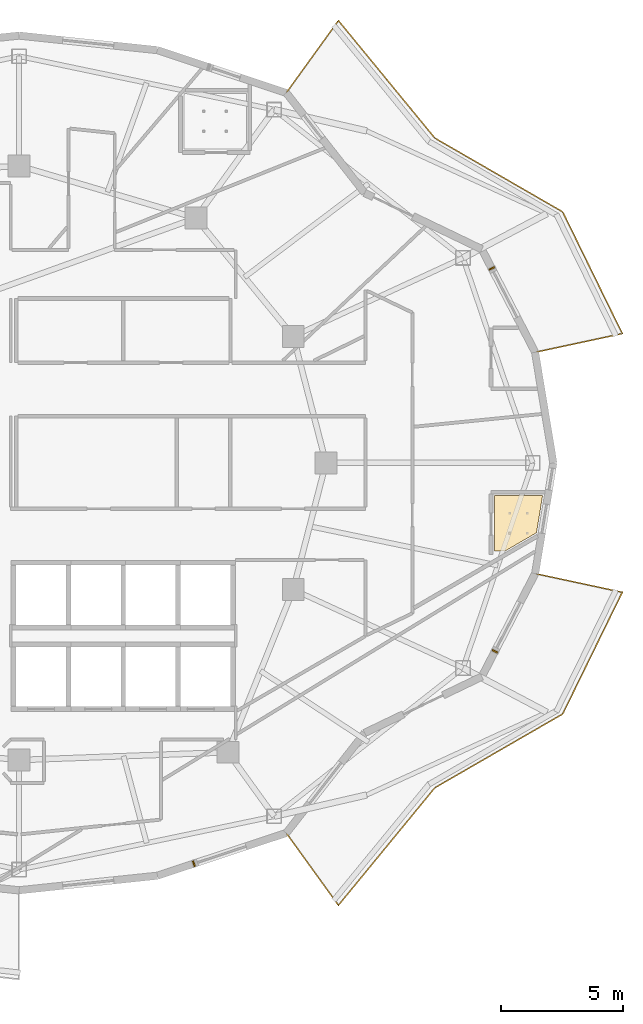
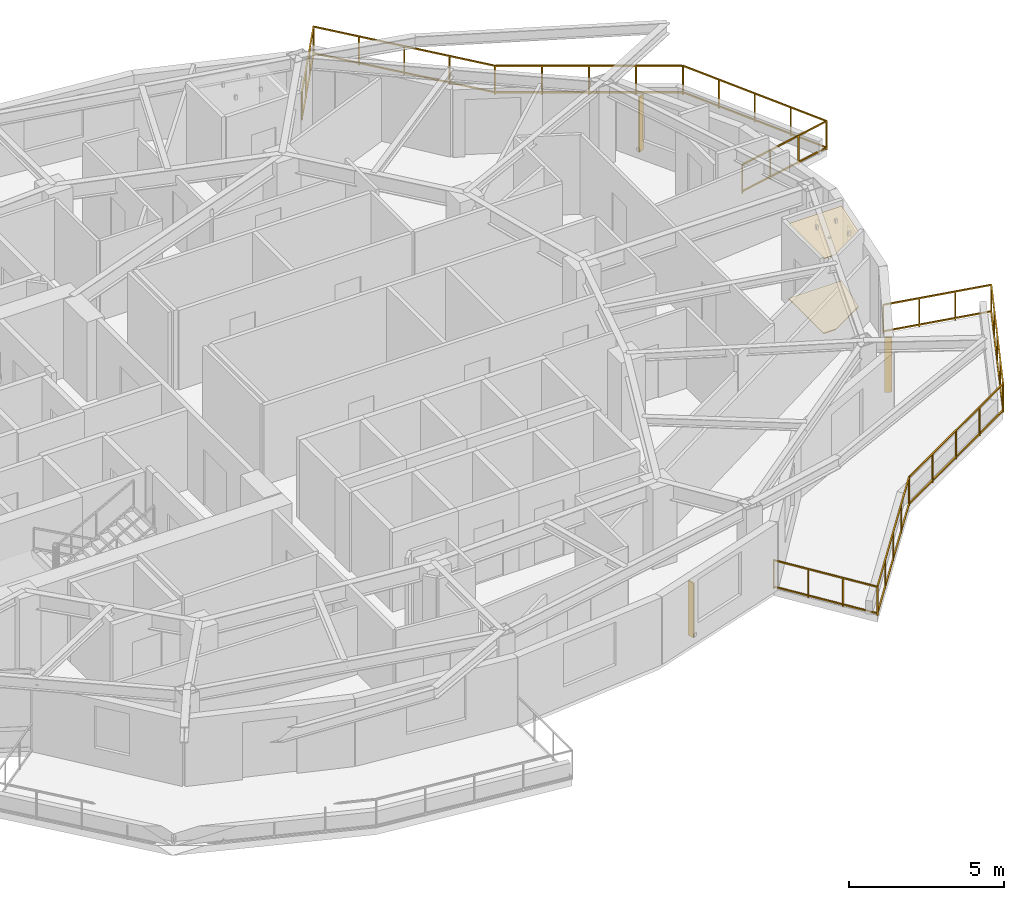
# One storey, part 15 of 16: 3 shading devices, 2 coverings, 2 railings.
"""IFC4 building model written with IfcOpenShell, lengths in metres."""

from ifc_helpers import new_model, si_unit, direction, frame, origin, origin_2d, place, context, subcontext, project, spatial, polyline, rectangle, outline, extrude, material, layer, layer_set, type_object, element, save


model = new_model("IFC4")

# Units and contexts
model_context = context("Model", 3, precision=1e-05, world=origin(), true_north=direction((0.0, 1.0)))
body_context = subcontext(model_context, "Body", "Model", "MODEL_VIEW")
ifc_project = project(units=[si_unit("LENGTHUNIT", "METRE"), si_unit("AREAUNIT", "SQUARE_METRE"), si_unit("VOLUMEUNIT", "CUBIC_METRE"), si_unit("PLANEANGLEUNIT", "RADIAN"), si_unit("MASSUNIT", "GRAM", prefix="KILO")], contexts=[model_context])

# Site, building, storey
site_placement = place(None, origin())
site = spatial("IfcSite", under=ifc_project, at=site_placement, CompositionType="ELEMENT")
building_placement = place(site_placement, origin())
building = spatial("IfcBuilding", under=site, at=building_placement, Name="Kolvaren Gate Tower and Convention Centre", CompositionType="ELEMENT")
storey_placement = place(building_placement, frame((0.0, 0.0, 149.5)))
storey = spatial("IfcBuildingStorey", under=building, at=storey_placement, Name="L38", CompositionType="ELEMENT", Elevation=149.5)

# Coverings
ifc_material_1 = material(Name="Perforated Mineral-Fibre Acoustic Ceiling Tile 18 mm", Category="gypsum")
ifc_layer_1 = layer(ifc_material_1, 0.01806640625)
ifc_layer_set_1 = layer_set([ifc_layer_1], Name="Perforated Mineral-Fibre Acoustic Ceiling Tile 18 mm")
covering_type_1 = type_object("IfcCoveringType", Name="ARCH-COV-CEIL-18", PredefinedType="CEILING", material=ifc_layer_set_1)
covering_1_placement = place(storey_placement, frame((0.0, 0.0, 2.949951171875)))
element("IfcCovering", 1, at=covering_1_placement, inside=storey, type_object=covering_type_1, Name="En-suite Bathroom (HTL-L38-05) Acoustic Suspended Ceiling", PredefinedType="CEILING", context=body_context, shape_type="SweptSolid", body=[
    extrude(outline(polyline([(49.639892578125, 23.389892578125), (49.639892578125, 25.659912109375), (51.618896484375, 25.659912109375), (51.367919921875, 24.133056640625), (50.090087890625, 23.389892578125), (49.639892578125, 23.389892578125)])), origin(), (0.0, 0.0, 1.0), 0.01806640625),
])
ifc_material_2 = material(Name="Honed Sabana Limestone Terrazzo Flooring 30 mm", Category="masonry")
ifc_layer_2 = layer(ifc_material_2, 0.030029296875)
ifc_layer_set_2 = layer_set([ifc_layer_2], Name="Honed Sabana Limestone Terrazzo Flooring 30 mm")
covering_type_2 = type_object("IfcCoveringType", Name="ARCH-COV-FLR-30", PredefinedType="FLOORING", material=ifc_layer_set_2)
covering_2_placement = place(storey_placement, origin())
element("IfcCovering", 2, at=covering_2_placement, inside=storey, type_object=covering_type_2, Name="En-suite Bathroom (HTL-L38-05) Interior Finish Flooring", PredefinedType="FLOORING", context=body_context, shape_type="SweptSolid", body=[
    extrude(outline(polyline([(49.639892578125, 23.389892578125), (49.639892578125, 25.659912109375), (51.618896484375, 25.659912109375), (51.367919921875, 24.133056640625), (50.090087890625, 23.389892578125), (49.639892578125, 23.389892578125)])), origin(), (0.0, 0.0, 1.0), 0.030029296875),
])

# Railings
ifc_material_3 = material(Name="Brushed Stainless Steel Grade 316L", Category="steel")
railing_type = type_object("IfcRailingType", Name="ARCH-RL-GUARD-1150", PredefinedType="GUARDRAIL", material=ifc_material_3)
railing_1_placement = place(storey_placement, frame((51.31494140625, 31.542236328125, 0.0)))
element("IfcRailing", 3, at=railing_1_placement, inside=storey, type_object=railing_type, Name="Tower L38 Terrace Perimeter Guardrail GR-1", PredefinedType="GUARDRAIL", context=body_context, shape_type="SweptSolid", body=[
    extrude(rectangle(XDim=0.048095703125, YDim=0.048095703125, at=origin_2d()), frame((0.02734375, 0.005859375, 1.1259765625), z_axis=(0.977791675321, 0.209579196661, 0.0), x_axis=(-0.209579196661, 0.977791675321, 0.0)), (0.0, 0.0, 1.0), 3.60400390625),
    extrude(rectangle(XDim=0.048095703125, YDim=0.048095703125, at=origin_2d()), frame((0.02734375, 0.005859375, 0.083984375), z_axis=(0.977791675321, 0.209579196661, 0.0), x_axis=(-0.209579196661, 0.977791675321, 0.0)), (0.0, 0.0, 1.0), 3.60400390625),
    extrude(rectangle(XDim=0.048095703125, YDim=0.048095703125, at=origin_2d()), frame((3.56640625, 0.792236328125, 1.1259765625), z_axis=(-0.439655234701, 0.898166618507, 0.0), x_axis=(-0.898166618507, -0.439655234701, 0.0)), (0.0, 0.0, 1.0), 5.51123046875),
    extrude(rectangle(XDim=0.048095703125, YDim=0.048095703125, at=origin_2d()), frame((3.56640625, 0.792236328125, 0.083984375), z_axis=(-0.439655234701, 0.898166618507, 0.0), x_axis=(-0.898166618507, -0.439655234701, 0.0)), (0.0, 0.0, 1.0), 5.51123046875),
    extrude(rectangle(XDim=0.048095703125, YDim=0.048095703125, at=origin_2d()), frame((1.10693359375, 5.781494140625, 1.1259765625), z_axis=(-0.866075571306, 0.499913097234, 0.0), x_axis=(-0.499913097234, -0.866075571306, 0.0)), (0.0, 0.0, 1.0), 6.004150390625),
    extrude(rectangle(XDim=0.048095703125, YDim=0.048095703125, at=origin_2d()), frame((1.10693359375, 5.781494140625, 0.083984375), z_axis=(-0.866075571306, 0.499913097234, 0.0), x_axis=(-0.499913097234, -0.866075571306, 0.0)), (0.0, 0.0, 1.0), 6.004150390625),
    extrude(rectangle(XDim=0.048095703125, YDim=0.048095703125, at=origin_2d()), frame((-4.13525390625, 8.81884765625, 1.1259765625), z_axis=(-0.634429234628, 0.77298094818, 0.0), x_axis=(-0.77298094818, -0.634429234628, 0.0)), (0.0, 0.0, 1.0), 6.188720703125),
    extrude(rectangle(XDim=0.048095703125, YDim=0.048095703125, at=origin_2d()), frame((-4.13525390625, 8.81884765625, 0.083984375), z_axis=(-0.634429234628, 0.77298094818, 0.0), x_axis=(-0.77298094818, -0.634429234628, 0.0)), (0.0, 0.0, 1.0), 6.188720703125),
    extrude(rectangle(XDim=0.048095703125, YDim=0.048095703125, at=origin_2d()), frame((-8.095703125, 13.6015625, 1.1259765625), z_axis=(-0.585212870465, -0.810879705161, 0.0), x_axis=(0.810879705161, -0.585212870465, 0.0)), (0.0, 0.0, 1.0), 3.603759765625),
    extrude(rectangle(XDim=0.048095703125, YDim=0.048095703125, at=origin_2d()), frame((-8.095703125, 13.6015625, 0.083984375), z_axis=(-0.585212870465, -0.810879705161, 0.0), x_axis=(0.810879705161, -0.585212870465, 0.0)), (0.0, 0.0, 1.0), 3.603759765625),
    extrude(rectangle(XDim=0.0419921875, YDim=0.0419921875, at=origin_2d()), origin(), (0.0, 0.0, 1.0), 1.14990234375),
    extrude(rectangle(XDim=0.0419921875, YDim=0.0419921875, at=origin_2d()), frame((3.578857421875, 0.76708984375, 0.0)), (0.0, 0.0, 1.0), 1.14990234375),
    extrude(rectangle(XDim=0.0419921875, YDim=0.0419921875, at=origin_2d()), frame((1.19287109375, 0.255615234375, 0.0)), (0.0, 0.0, 1.0), 1.099853515625),
    extrude(rectangle(XDim=0.0419921875, YDim=0.0419921875, at=origin_2d()), frame((2.385986328125, 0.511474609375, 0.0)), (0.0, 0.0, 1.0), 1.099853515625),
    extrude(rectangle(XDim=0.0419921875, YDim=0.0419921875, at=origin_2d()), frame((1.131103515625, 5.767578125, 0.0)), (0.0, 0.0, 1.0), 1.14990234375),
    extrude(rectangle(XDim=0.0419921875, YDim=0.0419921875, at=origin_2d()), frame((2.966796875, 2.01708984375, 0.0)), (0.0, 0.0, 1.0), 1.099853515625),
    extrude(rectangle(XDim=0.0419921875, YDim=0.0419921875, at=origin_2d()), frame((2.35498046875, 3.267333984375, 0.0)), (0.0, 0.0, 1.0), 1.099853515625),
    extrude(rectangle(XDim=0.0419921875, YDim=0.0419921875, at=origin_2d()), frame((1.7431640625, 4.517578125, 0.0)), (0.0, 0.0, 1.0), 1.099853515625),
    extrude(rectangle(XDim=0.0419921875, YDim=0.0419921875, at=origin_2d()), frame((-4.117431640625, 8.797119140625, 0.0)), (0.0, 0.0, 1.0), 1.14990234375),
    extrude(rectangle(XDim=0.0419921875, YDim=0.0419921875, at=origin_2d()), frame((-0.18115234375, 6.52490234375, 0.0)), (0.0, 0.0, 1.0), 1.099853515625),
    extrude(rectangle(XDim=0.0419921875, YDim=0.0419921875, at=origin_2d()), frame((-1.4931640625, 7.2822265625, 0.0)), (0.0, 0.0, 1.0), 1.099853515625),
    extrude(rectangle(XDim=0.0419921875, YDim=0.0419921875, at=origin_2d()), frame((-2.80517578125, 8.039794921875, 0.0)), (0.0, 0.0, 1.0), 1.099853515625),
    extrude(rectangle(XDim=0.0419921875, YDim=0.0419921875, at=origin_2d()), frame((-8.079345703125, 13.624267578125, 0.0)), (0.0, 0.0, 1.0), 1.14990234375),
    extrude(rectangle(XDim=0.0419921875, YDim=0.0419921875, at=origin_2d()), frame((-5.10791015625, 10.00390625, 0.0)), (0.0, 0.0, 1.0), 1.099853515625),
    extrude(rectangle(XDim=0.0419921875, YDim=0.0419921875, at=origin_2d()), frame((-6.098388671875, 11.210693359375, 0.0)), (0.0, 0.0, 1.0), 1.099853515625),
    extrude(rectangle(XDim=0.0419921875, YDim=0.0419921875, at=origin_2d()), frame((-7.0888671875, 12.41748046875, 0.0)), (0.0, 0.0, 1.0), 1.099853515625),
    extrude(rectangle(XDim=0.0419921875, YDim=0.0419921875, at=origin_2d()), frame((-10.22119140625, 10.656494140625, 0.0)), (0.0, 0.0, 1.0), 1.14990234375),
    extrude(rectangle(XDim=0.0419921875, YDim=0.0419921875, at=origin_2d()), frame((-8.793212890625, 12.635009765625, 0.0)), (0.0, 0.0, 1.0), 1.099853515625),
    extrude(rectangle(XDim=0.0419921875, YDim=0.0419921875, at=origin_2d()), frame((-9.50732421875, 11.645751953125, 0.0)), (0.0, 0.0, 1.0), 1.099853515625),
])
railing_2_placement = place(storey_placement, frame((41.09375, 11.80126953125, 0.0)))
element("IfcRailing", 4, at=railing_2_placement, inside=storey, type_object=railing_type, Name="Tower L38 Terrace Perimeter Guardrail GR-4", PredefinedType="GUARDRAIL", context=body_context, shape_type="SweptSolid", body=[
    extrude(rectangle(XDim=0.048095703125, YDim=0.048095703125, at=origin_2d()), frame((0.016357421875, -0.022705078125, 1.1259765625), z_axis=(0.585212870465, -0.810879705161, 0.0), x_axis=(0.810879705161, 0.585212870465, 0.0)), (0.0, 0.0, 1.0), 3.603759765625),
    extrude(rectangle(XDim=0.048095703125, YDim=0.048095703125, at=origin_2d()), frame((0.016357421875, -0.022705078125, 0.083984375), z_axis=(0.585212870465, -0.810879705161, 0.0), x_axis=(0.810879705161, 0.585212870465, 0.0)), (0.0, 0.0, 1.0), 3.603759765625),
    extrude(rectangle(XDim=0.048095703125, YDim=0.048095703125, at=origin_2d()), frame((2.15966796875, -2.946044921875, 1.1259765625), z_axis=(0.634429234628, 0.77298094818, 0.0), x_axis=(-0.77298094818, 0.634429234628, 0.0)), (0.0, 0.0, 1.0), 6.188720703125),
    extrude(rectangle(XDim=0.048095703125, YDim=0.048095703125, at=origin_2d()), frame((2.15966796875, -2.946044921875, 0.083984375), z_axis=(0.634429234628, 0.77298094818, 0.0), x_axis=(-0.77298094818, 0.634429234628, 0.0)), (0.0, 0.0, 1.0), 6.188720703125),
    extrude(rectangle(XDim=0.048095703125, YDim=0.048095703125, at=origin_2d()), frame((6.1279296875, 1.873291015625, 1.1259765625), z_axis=(0.866075571306, 0.499913097234, 0.0), x_axis=(-0.499913097234, 0.866075571306, 0.0)), (0.0, 0.0, 1.0), 6.004150390625),
    extrude(rectangle(XDim=0.048095703125, YDim=0.048095703125, at=origin_2d()), frame((6.1279296875, 1.873291015625, 0.083984375), z_axis=(0.866075571306, 0.499913097234, 0.0), x_axis=(-0.499913097234, 0.866075571306, 0.0)), (0.0, 0.0, 1.0), 6.004150390625),
    extrude(rectangle(XDim=0.048095703125, YDim=0.048095703125, at=origin_2d()), frame((11.36474609375, 4.9140625, 1.1259765625), z_axis=(0.439655234701, 0.898166618507, 0.0), x_axis=(-0.898166618507, 0.439655234701, 0.0)), (0.0, 0.0, 1.0), 5.51123046875),
    extrude(rectangle(XDim=0.048095703125, YDim=0.048095703125, at=origin_2d()), frame((11.36474609375, 4.9140625, 0.083984375), z_axis=(0.439655234701, 0.898166618507, 0.0), x_axis=(-0.898166618507, 0.439655234701, 0.0)), (0.0, 0.0, 1.0), 5.51123046875),
    extrude(rectangle(XDim=0.048095703125, YDim=0.048095703125, at=origin_2d()), frame((13.772705078125, 9.895263671875, 1.1259765625), z_axis=(-0.977791675321, 0.209579196661, 0.0), x_axis=(-0.209579196661, -0.977791675321, 0.0)), (0.0, 0.0, 1.0), 3.60400390625),
    extrude(rectangle(XDim=0.048095703125, YDim=0.048095703125, at=origin_2d()), frame((13.772705078125, 9.895263671875, 0.083984375), z_axis=(-0.977791675321, 0.209579196661, 0.0), x_axis=(-0.209579196661, -0.977791675321, 0.0)), (0.0, 0.0, 1.0), 3.60400390625),
    extrude(rectangle(XDim=0.0419921875, YDim=0.0419921875, at=origin_2d()), origin(), (0.0, 0.0, 1.0), 1.14990234375),
    extrude(rectangle(XDim=0.0419921875, YDim=0.0419921875, at=origin_2d()), frame((2.141845703125, -2.9677734375, 0.0)), (0.0, 0.0, 1.0), 1.14990234375),
    extrude(rectangle(XDim=0.0419921875, YDim=0.0419921875, at=origin_2d()), frame((0.7138671875, -0.9892578125, 0.0)), (0.0, 0.0, 1.0), 1.099853515625),
    extrude(rectangle(XDim=0.0419921875, YDim=0.0419921875, at=origin_2d()), frame((1.427978515625, -1.978515625, 0.0)), (0.0, 0.0, 1.0), 1.099853515625),
    extrude(rectangle(XDim=0.0419921875, YDim=0.0419921875, at=origin_2d()), frame((6.103759765625, 1.859375, 0.0)), (0.0, 0.0, 1.0), 1.14990234375),
    extrude(rectangle(XDim=0.0419921875, YDim=0.0419921875, at=origin_2d()), frame((3.13232421875, -1.760986328125, 0.0)), (0.0, 0.0, 1.0), 1.099853515625),
    extrude(rectangle(XDim=0.0419921875, YDim=0.0419921875, at=origin_2d()), frame((4.122802734375, -0.55419921875, 0.0)), (0.0, 0.0, 1.0), 1.099853515625),
    extrude(rectangle(XDim=0.0419921875, YDim=0.0419921875, at=origin_2d()), frame((5.11328125, 0.652587890625, 0.0)), (0.0, 0.0, 1.0), 1.099853515625),
    extrude(rectangle(XDim=0.0419921875, YDim=0.0419921875, at=origin_2d()), frame((11.352294921875, 4.888916015625, 0.0)), (0.0, 0.0, 1.0), 1.14990234375),
    extrude(rectangle(XDim=0.0419921875, YDim=0.0419921875, at=origin_2d()), frame((7.416015625, 2.61669921875, 0.0)), (0.0, 0.0, 1.0), 1.099853515625),
    extrude(rectangle(XDim=0.0419921875, YDim=0.0419921875, at=origin_2d()), frame((8.72802734375, 3.3740234375, 0.0)), (0.0, 0.0, 1.0), 1.099853515625),
    extrude(rectangle(XDim=0.0419921875, YDim=0.0419921875, at=origin_2d()), frame((10.0400390625, 4.131591796875, 0.0)), (0.0, 0.0, 1.0), 1.099853515625),
    extrude(rectangle(XDim=0.0419921875, YDim=0.0419921875, at=origin_2d()), frame((13.800048828125, 9.889404296875, 0.0)), (0.0, 0.0, 1.0), 1.14990234375),
    extrude(rectangle(XDim=0.0419921875, YDim=0.0419921875, at=origin_2d()), frame((11.96435546875, 6.13916015625, 0.0)), (0.0, 0.0, 1.0), 1.099853515625),
    extrude(rectangle(XDim=0.0419921875, YDim=0.0419921875, at=origin_2d()), frame((12.576171875, 7.38916015625, 0.0)), (0.0, 0.0, 1.0), 1.099853515625),
    extrude(rectangle(XDim=0.0419921875, YDim=0.0419921875, at=origin_2d()), frame((13.18798828125, 8.63916015625, 0.0)), (0.0, 0.0, 1.0), 1.099853515625),
    extrude(rectangle(XDim=0.0419921875, YDim=0.0419921875, at=origin_2d()), frame((10.22119140625, 10.656494140625, 0.0)), (0.0, 0.0, 1.0), 1.14990234375),
    extrude(rectangle(XDim=0.0419921875, YDim=0.0419921875, at=origin_2d()), frame((12.607177734375, 10.14501953125, 0.0)), (0.0, 0.0, 1.0), 1.099853515625),
    extrude(rectangle(XDim=0.0419921875, YDim=0.0419921875, at=origin_2d()), frame((11.4140625, 10.40087890625, 0.0)), (0.0, 0.0, 1.0), 1.099853515625),
])

# Shading devices
ifc_material_4 = material(Name="Kiln-Fired Bogota Terracotta Ceramic Louvre Profile", Category="masonry")
shading_device_type = type_object("IfcShadingDeviceType", Name="ARCH-SHD-FIN-180", PredefinedType="JALOUSIE", material=ifc_material_4)
for number, where, z_axis, x_axis, name in (
    (5, (49.53271484375, 34.984619140625, 0.219970703125), (0.0, 0.0, 1.0), (0.459798409467, -0.888023323259, 0.0), "Ceramic Vertical Brise-Soleil Fin FN-L38-01"),
    (6, (37.2998046875, 10.544189453125, 0.219970703125), (0.0, 0.0, 1.0), (0.949239532616, 0.314554144335, 0.0), "Ceramic Vertical Brise-Soleil Fin FN-L38-19"),
    (7, (49.66259765625, 19.2666015625, 0.219970703125), (0.0, 0.0, 1.0), (0.459798409467, 0.888023323259, 0.0), "Ceramic Vertical Brise-Soleil Fin FN-L38-22"),
):
    element("IfcShadingDevice", number, at=place(storey_placement, frame(where, z_axis=z_axis, x_axis=x_axis)), inside=storey, type_object=shading_device_type, Name=name, PredefinedType="JALOUSIE", context=body_context, shape_type="SweptSolid", body=[
        extrude(rectangle(XDim=0.06005859375, YDim=0.239990234375, at=origin_2d()), origin(), (0.0, 0.0, 1.0), 2.14990234375),
    ])

save(model, "model.ifc")
